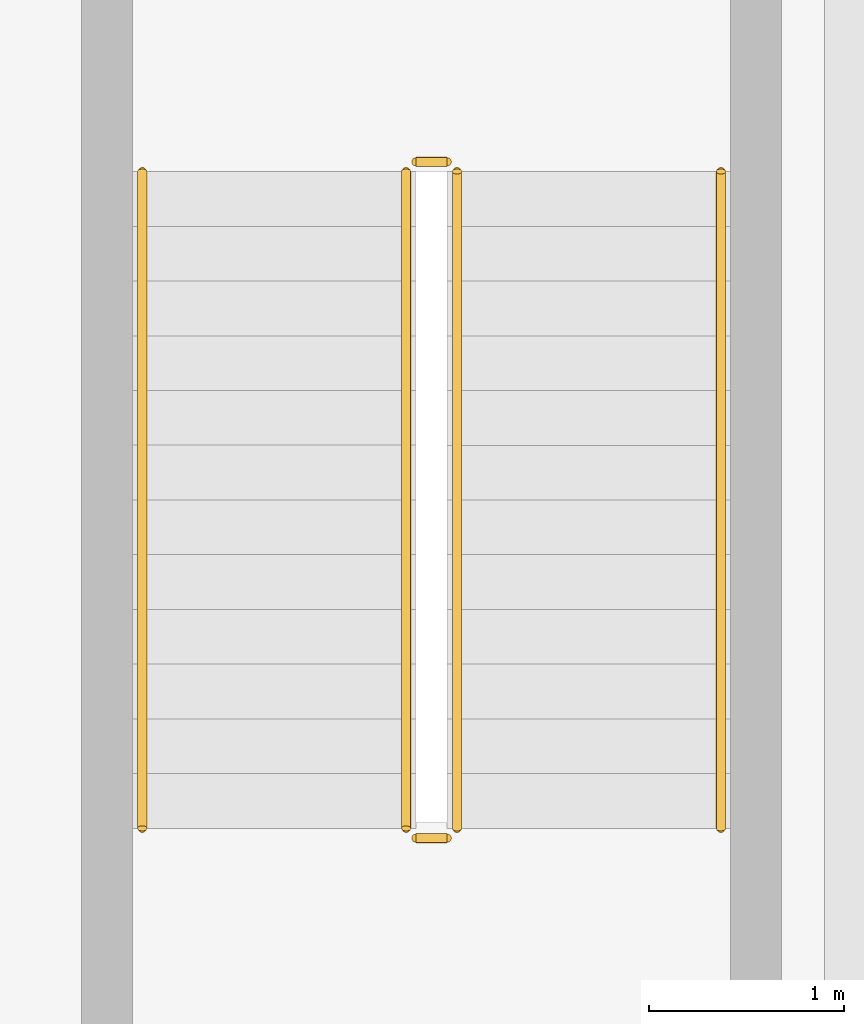
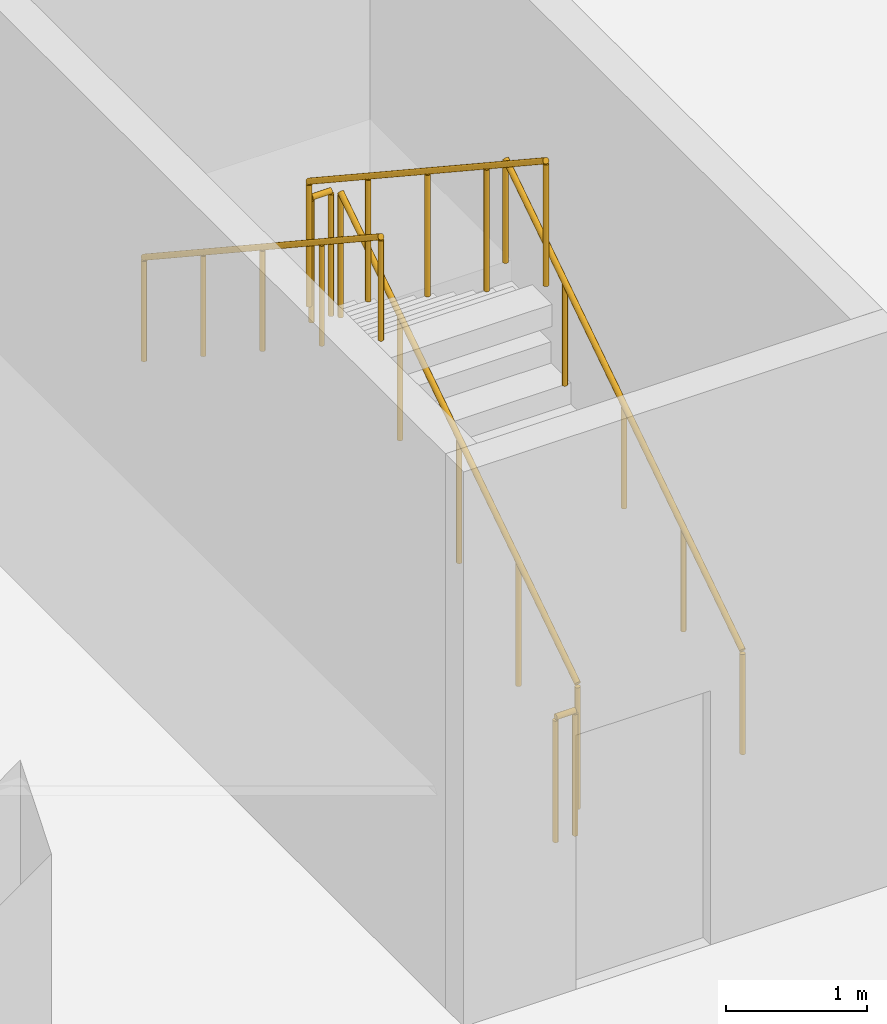
# One storey, part 41 of 52: 6 railings.
"""IFC4 building model written with IfcOpenShell, lengths in metres."""

from ifc_helpers import new_model, si_unit, direction, frame, origin, origin_2d, place, context, subcontext, project, spatial, circle, extrude, material, type_object, element, save


model = new_model("IFC4")

# Units and contexts
model_context = context("Model", 3, precision=1e-05, world=origin(), true_north=direction((0.0, 1.0)))
body_context = subcontext(model_context, "Body", "Model", "MODEL_VIEW")
ifc_project = project(units=[si_unit("LENGTHUNIT", "METRE"), si_unit("AREAUNIT", "SQUARE_METRE"), si_unit("VOLUMEUNIT", "CUBIC_METRE"), si_unit("PLANEANGLEUNIT", "RADIAN"), si_unit("MASSUNIT", "GRAM", prefix="KILO")], contexts=[model_context])

# Site, building, storey
site_placement = place(None, origin())
site = spatial("IfcSite", under=ifc_project, at=site_placement, CompositionType="ELEMENT")
building_placement = place(site_placement, origin())
building = spatial("IfcBuilding", under=site, at=building_placement, Name="Pecanmere Concourse Central Library", CompositionType="ELEMENT")
storey_placement = place(building_placement, frame((0.0, 0.0, 10.5)))
storey = spatial("IfcBuildingStorey", under=building, at=storey_placement, Name="L03", CompositionType="ELEMENT", Elevation=10.5)

# Railings
ifc_material_1 = material(Name="Painted architectural steel ASTM A36", Category="steel")
railing_type_1 = type_object("IfcRailingType", Name="RAIL_STAIR_GUARD", PredefinedType="GUARDRAIL", material=ifc_material_1)
railing_1_placement = place(storey_placement, frame((61.89990234375, 58.0, 0.1845703125)))
element("IfcRailing", 1, at=railing_1_placement, inside=storey, type_object=railing_type_1, Name="L03 ST-06 Guard 1", PredefinedType="GUARDRAIL", context=body_context, shape_type="SweptSolid", body=[
    extrude(circle(Radius=0.02392578125, at=origin_2d()), frame((0.0, 0.0, 1.076171875), z_axis=(0.0, 0.834876476806, 0.550437342915), x_axis=(-1.0, 0.0, 0.0)), (0.0, 0.0, 1.0), 4.024658203125),
    extrude(circle(Radius=0.02099609375, at=origin_2d()), origin(), (0.0, 0.0, 1.0), 1.052001953125),
    extrude(circle(Radius=0.02099609375, at=origin_2d()), frame((0.0, 0.840087890625, 0.5537109375)), (0.0, 0.0, 1.0), 1.052001953125),
    extrude(circle(Radius=0.02099609375, at=origin_2d()), frame((0.0, 1.68017578125, 1.107666015625)), (0.0, 0.0, 1.0), 1.052001953125),
    extrude(circle(Radius=0.02099609375, at=origin_2d()), frame((0.0, 2.52001953125, 1.66162109375)), (0.0, 0.0, 1.0), 1.052001953125),
    extrude(circle(Radius=0.02099609375, at=origin_2d()), frame((0.0, 3.360107421875, 2.21533203125)), (0.0, 0.0, 1.0), 1.052001953125),
])
railing_2_placement = place(storey_placement, frame((61.85009765625, 61.409912109375, 2.39990234375)))
element("IfcRailing", 2, at=railing_2_placement, inside=storey, type_object=railing_type_1, Name="L03 ST-06 Guard 2", PredefinedType="GUARDRAIL", context=body_context, shape_type="SweptSolid", body=[
    extrude(circle(Radius=0.02392578125, at=origin_2d()), frame((0.0, 0.0, 1.076171875), z_axis=(-1.0, 0.0, 0.0), x_axis=(0.0, -1.0, 0.0)), (0.0, 0.0, 1.0), 0.16015625),
    extrude(circle(Radius=0.02099609375, at=origin_2d()), origin(), (0.0, 0.0, 1.0), 1.052001953125),
    extrude(circle(Radius=0.02099609375, at=origin_2d()), frame((-0.16015625, 0.0, 0.0)), (0.0, 0.0, 1.0), 1.052001953125),
])
railing_3_placement = place(storey_placement, frame((61.639892578125, 61.360107421875, 2.584716796875)))
element("IfcRailing", 3, at=railing_3_placement, inside=storey, type_object=railing_type_1, Name="L03 ST-06 Guard 3", PredefinedType="GUARDRAIL", context=body_context, shape_type="SweptSolid", body=[
    extrude(circle(Radius=0.02392578125, at=origin_2d()), frame((0.0, 0.0, 1.076171875), z_axis=(0.0, -0.834876476806, 0.550437342915), x_axis=(1.0, 0.0, 0.0)), (0.0, 0.0, 1.0), 4.024658203125),
    extrude(circle(Radius=0.02099609375, at=origin_2d()), origin(), (0.0, 0.0, 1.0), 1.052001953125),
    extrude(circle(Radius=0.02099609375, at=origin_2d()), frame((0.0, -0.840087890625, 0.5537109375)), (0.0, 0.0, 1.0), 1.052001953125),
    extrude(circle(Radius=0.02099609375, at=origin_2d()), frame((0.0, -1.68017578125, 1.107666015625)), (0.0, 0.0, 1.0), 1.052001953125),
    extrude(circle(Radius=0.02099609375, at=origin_2d()), frame((0.0, -2.52001953125, 1.66162109375)), (0.0, 0.0, 1.0), 1.052001953125),
    extrude(circle(Radius=0.02099609375, at=origin_2d()), frame((0.0, -3.360107421875, 2.21533203125)), (0.0, 0.0, 1.0), 1.052001953125),
])
railing_4_placement = place(storey_placement, frame((61.85009765625, 57.949951171875, 0.0)))
element("IfcRailing", 4, at=railing_4_placement, inside=storey, type_object=railing_type_1, Name="L03 ST-06 Guard 4", PredefinedType="GUARDRAIL", context=body_context, shape_type="SweptSolid", body=[
    extrude(circle(Radius=0.02392578125, at=origin_2d()), frame((0.0, 0.0, 1.076171875), z_axis=(-1.0, 0.0, 0.0), x_axis=(0.0, -1.0, 0.0)), (0.0, 0.0, 1.0), 0.16015625),
    extrude(circle(Radius=0.02099609375, at=origin_2d()), origin(), (0.0, 0.0, 1.0), 1.052001953125),
    extrude(circle(Radius=0.02099609375, at=origin_2d()), frame((-0.16015625, 0.0, 0.0)), (0.0, 0.0, 1.0), 1.052001953125),
])
ifc_material_2 = material(Name="Brushed stainless steel Grade 316", Category="steel")
railing_type_2 = type_object("IfcRailingType", Name="RAIL_STAIR_HR", PredefinedType="HANDRAIL", material=ifc_material_2)
railing_5_placement = place(storey_placement, frame((63.25, 58.0, 0.1845703125)))
element("IfcRailing", 5, at=railing_5_placement, inside=storey, type_object=railing_type_2, Name="L03 ST-06 Handrail 1", PredefinedType="HANDRAIL", context=body_context, shape_type="SweptSolid", body=[
    extrude(circle(Radius=0.02392578125, at=origin_2d()), frame((0.0, 0.0, 0.89111328125), z_axis=(0.0, 0.834876476806, 0.550437342915), x_axis=(-1.0, 0.0, 0.0)), (0.0, 0.0, 1.0), 4.024658203125),
    extrude(circle(Radius=0.02099609375, at=origin_2d()), origin(), (0.0, 0.0, 1.0), 0.866943359375),
    extrude(circle(Radius=0.02099609375, at=origin_2d()), frame((0.0, 0.840087890625, 0.5537109375)), (0.0, 0.0, 1.0), 0.866943359375),
    extrude(circle(Radius=0.02099609375, at=origin_2d()), frame((0.0, 1.68017578125, 1.107666015625)), (0.0, 0.0, 1.0), 0.866943359375),
    extrude(circle(Radius=0.02099609375, at=origin_2d()), frame((0.0, 2.52001953125, 1.66162109375)), (0.0, 0.0, 1.0), 0.866943359375),
    extrude(circle(Radius=0.02099609375, at=origin_2d()), frame((0.0, 3.360107421875, 2.21533203125)), (0.0, 0.0, 1.0), 0.866943359375),
])
railing_6_placement = place(storey_placement, frame((60.2900390625, 61.360107421875, 2.584716796875)))
element("IfcRailing", 6, at=railing_6_placement, inside=storey, type_object=railing_type_2, Name="L03 ST-06 Handrail 2", PredefinedType="HANDRAIL", context=body_context, shape_type="SweptSolid", body=[
    extrude(circle(Radius=0.02392578125, at=origin_2d()), frame((0.0, 0.0, 0.89111328125), z_axis=(0.0, -0.834876476806, 0.550437342915), x_axis=(1.0, 0.0, 0.0)), (0.0, 0.0, 1.0), 4.024658203125),
    extrude(circle(Radius=0.02099609375, at=origin_2d()), origin(), (0.0, 0.0, 1.0), 0.866943359375),
    extrude(circle(Radius=0.02099609375, at=origin_2d()), frame((0.0, -0.840087890625, 0.5537109375)), (0.0, 0.0, 1.0), 0.866943359375),
    extrude(circle(Radius=0.02099609375, at=origin_2d()), frame((0.0, -1.68017578125, 1.107666015625)), (0.0, 0.0, 1.0), 0.866943359375),
    extrude(circle(Radius=0.02099609375, at=origin_2d()), frame((0.0, -2.52001953125, 1.66162109375)), (0.0, 0.0, 1.0), 0.866943359375),
    extrude(circle(Radius=0.02099609375, at=origin_2d()), frame((0.0, -3.360107421875, 2.21533203125)), (0.0, 0.0, 1.0), 0.866943359375),
])

save(model, "model.ifc")
